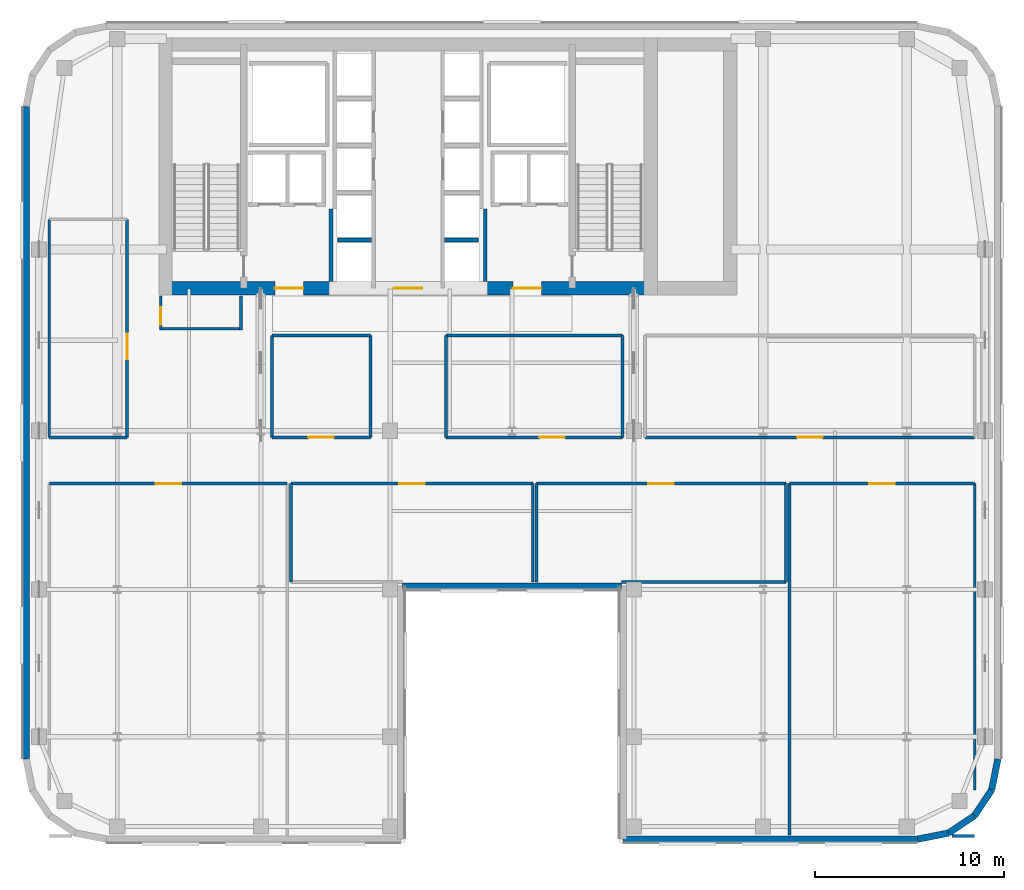
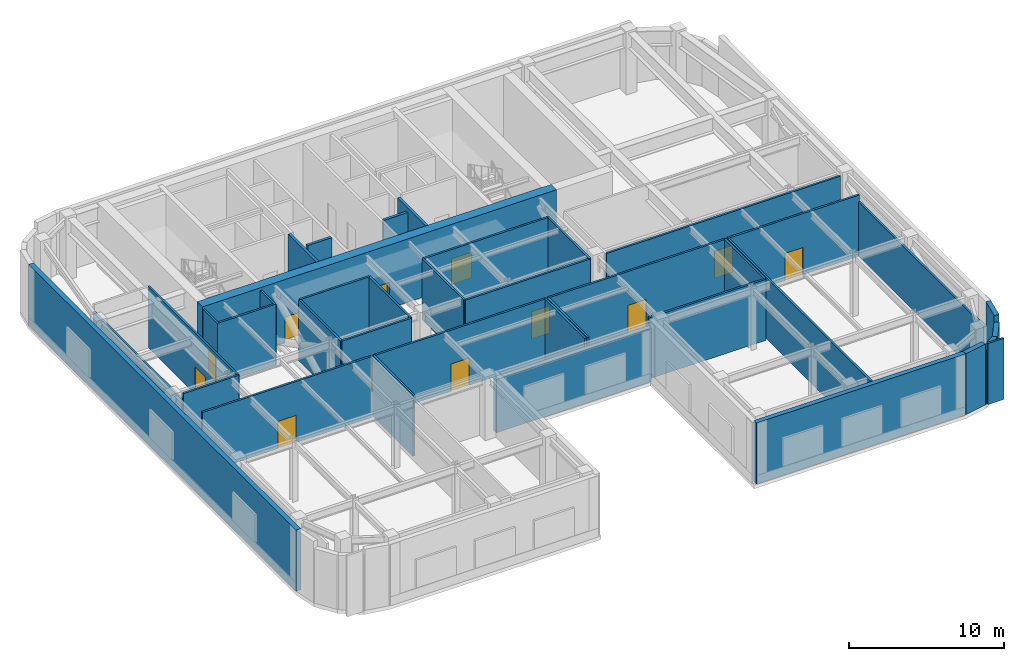
# One storey, part 5 of 12: 39 walls, 12 doors, 12 openings.
"""IFC4 building model written with IfcOpenShell, lengths in metres."""

from ifc_helpers import new_model, si_unit, direction, frame, frame_2d, origin, place, context, subcontext, project, spatial, rectangle, extrude, source, transform, mapped, material, layer, layer_set, type_object, type_shapes, element, fill, save


model = new_model("IFC4")

# Units and contexts
model_context = context("Model", 3, precision=1e-05, world=origin(), true_north=direction((0.0, 1.0)))
body_context = subcontext(model_context, "Body", "Model", "MODEL_VIEW")
ifc_project = project(units=[si_unit("LENGTHUNIT", "METRE"), si_unit("AREAUNIT", "SQUARE_METRE"), si_unit("VOLUMEUNIT", "CUBIC_METRE"), si_unit("PLANEANGLEUNIT", "RADIAN"), si_unit("MASSUNIT", "GRAM", prefix="KILO")], contexts=[model_context])

# Site, building, storey
site_placement = place(None, origin())
site = spatial("IfcSite", under=ifc_project, at=site_placement, CompositionType="ELEMENT")
building_placement = place(site_placement, origin())
building = spatial("IfcBuilding", under=site, at=building_placement, Name="Tolvann Quenvar Hotel", CompositionType="ELEMENT")
storey_placement = place(building_placement, frame((0.0, 0.0, 182.550048828125)))
storey = spatial("IfcBuildingStorey", under=building, at=storey_placement, Name="L48", CompositionType="ELEMENT", Elevation=182.550048828125)

# Wall, openings, doors
ifc_material_1 = material(Name="Concrete S65 (65 MPa)", Category="concrete")
ifc_layer_1 = layer(ifc_material_1, 0.699951171875)
ifc_layer_set_1 = layer_set([ifc_layer_1], Name="Concrete S65 (65 MPa)")
wall_type_1 = type_object("IfcWallType", Name="WALL_CORE_700", PredefinedType="SHEAR", material=ifc_layer_set_1)
wall_1_placement = place(storey_placement, frame((9.800048828125, 31.949951171875, 0.0), z_axis=(0.0, 0.0, 1.0), x_axis=(1.0, 0.0, 0.0)))
wall_1 = element("IfcWall", 1, at=wall_1_placement, inside=storey, type_object=wall_type_1, Name="Rear Core S Shear Wall (L48)", PredefinedType="SHEAR", context=body_context, shape_type="SweptSolid", body=[
    extrude(rectangle(XDim=26.39990234375, YDim=0.699951171875, at=frame_2d((13.199951171875, 0.0))), origin(), (0.0, 0.0, 1.0), 5.0),
])
opening_1_placement = place(wall_1_placement, frame((7.64990234375, 0.0, 0.0), z_axis=(0.0, 0.0, 1.0), x_axis=(-1.0, 0.0, 0.0)))
opening_1 = element("IfcOpeningElement", 2, at=opening_1_placement, cuts=wall_1, Name="Opening FD-60D", PredefinedType="OPENING", context=body_context, shape_type="SweptSolid", body=[
    extrude(rectangle(XDim=1.5, YDim=2.0400390625, at=frame_2d((0.75, 1.02001953125))), frame((0.0, 0.35986328125, 0.0), z_axis=(0.0, -1.0, 0.0), x_axis=(1.0, 0.0, 0.0)), (0.0, 0.0, 1.0), 0.719970703125),
])
opening_2_placement = place(wall_1_placement, frame((13.949951171875, 0.0, 0.0), z_axis=(0.0, 0.0, 1.0), x_axis=(-1.0, 0.0, 0.0)))
opening_2 = element("IfcOpeningElement", 3, at=opening_2_placement, cuts=wall_1, Name="Opening FD-60D", PredefinedType="OPENING", context=body_context, shape_type="SweptSolid", body=[
    extrude(rectangle(XDim=1.5, YDim=2.0400390625, at=frame_2d((0.75, 1.02001953125))), frame((0.0, 0.35986328125, 0.0), z_axis=(0.0, -1.0, 0.0), x_axis=(1.0, 0.0, 0.0)), (0.0, 0.0, 1.0), 0.719970703125),
])
opening_3_placement = place(wall_1_placement, frame((20.25, 0.0, 0.0), z_axis=(0.0, 0.0, 1.0), x_axis=(-1.0, 0.0, 0.0)))
opening_3 = element("IfcOpeningElement", 4, at=opening_3_placement, cuts=wall_1, Name="Opening FD-60D", PredefinedType="OPENING", context=body_context, shape_type="SweptSolid", body=[
    extrude(rectangle(XDim=1.5, YDim=2.0400390625, at=frame_2d((0.75, 1.02001953125))), frame((0.0, 0.35986328125, 0.0), z_axis=(0.0, -1.0, 0.0), x_axis=(1.0, 0.0, 0.0)), (0.0, 0.0, 1.0), 0.719970703125),
])
ifc_material_2 = material(Name="Solid-core American oak acoustic fire door leaf in steel frame", Category="steel")
door_type_1 = type_object("IfcDoorType", Name="DOOR_FIRE_LOBBY_1500", OperationType="NOTDEFINED", PredefinedType="DOOR", material=ifc_material_2)
shared_shape_1 = source(origin(), body_context, "Body", "SweptSolid", [
    extrude(rectangle(XDim=1.5, YDim=2.0400390625, at=frame_2d((0.75, 1.02001953125))), frame((0.0, 0.02490234375, 0.0), z_axis=(0.0, -1.0, 0.0), x_axis=(1.0, 0.0, 0.0)), (0.0, 0.0, 1.0), 0.050048828125),
])
type_shapes(door_type_1, [shared_shape_1])
door_1_placement = place(opening_1_placement, origin())
door_1 = element("IfcDoor", 5, at=door_1_placement, inside=storey, type_object=door_type_1, Name="Core Lobby Fire Door FFW (L48)", OperationType="DOUBLE_DOOR_SINGLE_SWING", OverallHeight=2.0400390625, OverallWidth=1.5, PredefinedType="DOOR", context=body_context, shape_type="MappedRepresentation", body=[
    mapped(shared_shape_1, transform((0.0, 0.0, 0.0), x_axis=(1.0, 0.0, 0.0), y_axis=(0.0, 1.0, 0.0), z_axis=(0.0, 0.0, 1.0), scale=1.0)),
])
fill(opening_1, door_1)
door_2_placement = place(opening_2_placement, origin())
door_2 = element("IfcDoor", 6, at=door_2_placement, inside=storey, type_object=door_type_1, Name="Core Lobby Fire Door CLOB (L48)", OperationType="DOUBLE_DOOR_SINGLE_SWING", OverallHeight=2.0400390625, OverallWidth=1.5, PredefinedType="DOOR", context=body_context, shape_type="MappedRepresentation", body=[
    mapped(shared_shape_1, transform((0.0, 0.0, 0.0), x_axis=(1.0, 0.0, 0.0), y_axis=(0.0, 1.0, 0.0), z_axis=(0.0, 0.0, 1.0), scale=1.0)),
])
fill(opening_2, door_2)
door_3_placement = place(opening_3_placement, origin())
door_3 = element("IfcDoor", 7, at=door_3_placement, inside=storey, type_object=door_type_1, Name="Core Lobby Fire Door FFE (L48)", OperationType="DOUBLE_DOOR_SINGLE_SWING", OverallHeight=2.0400390625, OverallWidth=1.5, PredefinedType="DOOR", context=body_context, shape_type="MappedRepresentation", body=[
    mapped(shared_shape_1, transform((0.0, 0.0, 0.0), x_axis=(1.0, 0.0, 0.0), y_axis=(0.0, 1.0, 0.0), z_axis=(0.0, 0.0, 1.0), scale=1.0)),
])
fill(opening_3, door_3)

# Walls
ifc_material_3 = material(Name="Kiln-fired red and buff architectural clay brickwork and terracotta masonry", Category="masonry")
ifc_layer_2 = layer(ifc_material_3, 0.35009765625)
ifc_layer_set_2 = layer_set([ifc_layer_2], Name="Kiln-fired red and buff architectural clay brickwork and terracotta masonry")
wall_type_2 = type_object("IfcWallType", Name="WALL_EXT_BRICK_350", PredefinedType="SOLIDWALL", material=ifc_layer_set_2)
wall_2_placement = place(storey_placement, frame((22.7099609375, 16.175048828125, 0.0), z_axis=(0.0, 0.0, 1.0), x_axis=(1.0, 0.0, 0.0)))
element("IfcWall", 8, at=wall_2_placement, inside=storey, type_object=wall_type_2, Name="Exterior Chicago Brick Wall L48-E06", PredefinedType="SOLIDWALL", context=body_context, shape_type="SweptSolid", body=[
    extrude(rectangle(XDim=11.580078125, YDim=0.35009765625, at=frame_2d((5.7900390625, 0.0))), origin(), (0.0, 0.0, 1.0), 4.2080078125),
])
wall_3_placement = place(storey_placement, frame((34.375, 2.77490234375, 0.0), z_axis=(0.0, 0.0, 1.0), x_axis=(1.0, 0.0, 0.0)))
element("IfcWall", 9, at=wall_3_placement, inside=storey, type_object=wall_type_2, Name="Exterior Chicago Brick Wall L48-E08", PredefinedType="SOLIDWALL", context=body_context, shape_type="SweptSolid", body=[
    extrude(rectangle(XDim=15.60791015625, YDim=0.35009765625, at=frame_2d((7.803955078125, 0.0))), origin(), (0.0, 0.0, 1.0), 4.820068359375),
])
wall_4_placement = place(storey_placement, frame((49.98291015625, 2.77490234375, 0.0), z_axis=(0.0, 0.0, 1.0), x_axis=(0.980788844421, 0.195072403631, 0.0)))
element("IfcWall", 10, at=wall_4_placement, inside=storey, type_object=wall_type_2, Name="Exterior Chicago Brick Wall L48-E09", PredefinedType="SOLIDWALL", context=body_context, shape_type="SweptSolid", body=[
    extrude(rectangle(XDim=1.66455078125, YDim=0.35009765625, at=frame_2d((0.832275390625, 0.0))), origin(), (0.0, 0.0, 1.0), 4.820068359375),
])
for number, where, z_axis, x_axis, name in (
    (11, (51.615478515625, 3.099609375, 0.0), (0.0, 0.0, 1.0), (0.831434158098, 0.555623290322, 0.0), "Exterior Chicago Brick Wall L48-E10"),
    (12, (52.985107421875, 4.014892578125, 0.0), (0.0, 0.0, 1.0), (0.555623290322, 0.831434158098, 0.0), "Exterior Chicago Brick Wall L48-E11"),
):
    element("IfcWall", number, at=place(storey_placement, frame(where, z_axis=z_axis, x_axis=x_axis)), inside=storey, type_object=wall_type_2, Name=name, PredefinedType="SOLIDWALL", context=body_context, shape_type="SweptSolid", body=[
        extrude(rectangle(XDim=1.647216796875, YDim=0.35009765625, at=frame_2d((0.82373046875, 0.0))), origin(), (0.0, 0.0, 1.0), 4.281982421875),
    ])
wall_5_placement = place(storey_placement, frame((53.900390625, 5.384521484375, 0.0), z_axis=(0.0, 0.0, 1.0), x_axis=(0.195072403631, 0.980788844421, 0.0)))
element("IfcWall", 13, at=wall_5_placement, inside=storey, type_object=wall_type_2, Name="Exterior Chicago Brick Wall L48-E12", PredefinedType="SOLIDWALL", context=body_context, shape_type="SweptSolid", body=[
    extrude(rectangle(XDim=1.66455078125, YDim=0.35009765625, at=frame_2d((0.832275390625, 0.0))), origin(), (0.0, 0.0, 1.0), 4.820068359375),
])
wall_6_placement = place(storey_placement, frame((2.77490234375, 41.582763671875, 0.0), z_axis=(0.0, 0.0, 1.0), x_axis=(0.0, -1.0, 0.0)))
element("IfcWall", 14, at=wall_6_placement, inside=storey, type_object=wall_type_2, Name="Exterior Chicago Brick Wall L48-E23", PredefinedType="SOLIDWALL", context=body_context, shape_type="SweptSolid", body=[
    extrude(rectangle(XDim=34.565673828125, YDim=0.35009765625, at=frame_2d((17.28271484375, 0.0))), origin(), (0.0, 0.0, 1.0), 4.820068359375),
])

# Wall, opening, door
ifc_material_4 = material(Name="Acoustic twin-stud fire-rated gypsum plasterboard partition")
ifc_layer_3 = layer(ifc_material_4, 0.14990234375)
ifc_layer_set_3 = layer_set([ifc_layer_3], Name="Acoustic twin-stud fire-rated gypsum plasterboard partition")
wall_type_3 = type_object("IfcWallType", Name="WALL_PART_SUITE_150", PredefinedType="PARTITIONING", material=ifc_layer_set_3)
wall_7_placement = place(storey_placement, frame((8.1201171875, 24.050048828125, 0.0), z_axis=(0.0, 0.0, 1.0), x_axis=(0.0, 1.0, 0.0)))
wall_7 = element("IfcWall", 15, at=wall_7_placement, inside=storey, type_object=wall_type_3, Name="Interior Partition PT-SPC-L48-REF-W-ENT", PredefinedType="PARTITIONING", context=body_context, shape_type="SweptSolid", body=[
    extrude(rectangle(XDim=11.550048828125, YDim=0.14990234375, at=frame_2d((5.77490234375, 0.0))), origin(), (0.0, 0.0, 1.0), 4.820068359375),
])
opening_4_placement = place(wall_7_placement, frame((4.125, 0.0, 0.0)))
opening_4 = element("IfcOpeningElement", 16, at=opening_4_placement, cuts=wall_7, Name="Opening PD-01", PredefinedType="OPENING", context=body_context, shape_type="SweptSolid", body=[
    extrude(rectangle(XDim=1.35009765625, YDim=2.14990234375, at=frame_2d((0.675048828125, 1.074951171875))), frame((0.0, 0.0849609375, 0.0), z_axis=(0.0, -1.0, 0.0), x_axis=(1.0, 0.0, 0.0)), (0.0, 0.0, 1.0), 0.169921875),
])
ifc_material_5 = material(Name="Pressed galvanised steel fire-rated door set", Category="steel")
door_type_2 = type_object("IfcDoorType", Name="DOOR_PLANT_1350", OperationType="NOTDEFINED", PredefinedType="DOOR", material=ifc_material_5)
shared_shape_2 = source(origin(), body_context, "Body", "SweptSolid", [
    extrude(rectangle(XDim=1.35009765625, YDim=2.14990234375, at=frame_2d((0.675048828125, 1.074951171875))), frame((0.0, 0.02490234375, 0.0), z_axis=(0.0, -1.0, 0.0), x_axis=(1.0, 0.0, 0.0)), (0.0, 0.0, 1.0), 0.050048828125),
])
type_shapes(door_type_2, [shared_shape_2])
door_4_placement = place(opening_4_placement, origin())
door_4 = element("IfcDoor", 17, at=door_4_placement, inside=storey, type_object=door_type_2, Name="Interior Door DOOR-SPC-L48-REF-W", OperationType="DOUBLE_DOOR_SINGLE_SWING", OverallHeight=2.14990234375, OverallWidth=1.35009765625, PredefinedType="DOOR", context=body_context, shape_type="MappedRepresentation", body=[
    mapped(shared_shape_2, transform((0.0, 0.0, 0.0), x_axis=(1.0, 0.0, 0.0), y_axis=(0.0, 1.0, 0.0), z_axis=(0.0, 0.0, 1.0), scale=1.0)),
])
fill(opening_4, door_4)

# Walls
wall_8_placement = place(storey_placement, frame((4.0, 24.050048828125, 0.0), z_axis=(0.0, 0.0, 1.0), x_axis=(1.0, 0.0, 0.0)))
element("IfcWall", 18, at=wall_8_placement, inside=storey, type_object=wall_type_3, Name="Interior Partition PT-SPC-L48-REF-W-S", PredefinedType="PARTITIONING", context=body_context, shape_type="SweptSolid", body=[
    extrude(rectangle(XDim=4.1201171875, YDim=0.14990234375, at=frame_2d((2.06005859375, 0.0))), origin(), (0.0, 0.0, 1.0), 4.820068359375),
])
wall_9_placement = place(storey_placement, frame((4.0, 24.050048828125, 0.0), z_axis=(0.0, 0.0, 1.0), x_axis=(0.0, 1.0, 0.0)))
element("IfcWall", 19, at=wall_9_placement, inside=storey, type_object=wall_type_3, Name="Interior Partition PT-SPC-L48-REF-W-W", PredefinedType="PARTITIONING", context=body_context, shape_type="SweptSolid", body=[
    extrude(rectangle(XDim=11.550048828125, YDim=0.14990234375, at=frame_2d((5.77490234375, 0.0))), origin(), (0.0, 0.0, 1.0), 4.281982421875),
])

# Wall, opening, door
wall_10_placement = place(storey_placement, frame((15.800048828125, 24.050048828125, 0.0), z_axis=(0.0, 0.0, 1.0), x_axis=(1.0, 0.0, 0.0)))
wall_10 = element("IfcWall", 20, at=wall_10_placement, inside=storey, type_object=wall_type_3, Name="Interior Partition PT-SPC-L48-REF-C-ENT", PredefinedType="PARTITIONING", context=body_context, shape_type="SweptSolid", body=[
    extrude(rectangle(XDim=5.199951171875, YDim=0.14990234375, at=frame_2d((2.60009765625, 0.0))), origin(), (0.0, 0.0, 1.0), 4.820068359375),
])
opening_5_placement = place(wall_10_placement, frame((1.925048828125, 0.0, 0.0)))
opening_5 = element("IfcOpeningElement", 21, at=opening_5_placement, cuts=wall_10, Name="Opening PD-01", PredefinedType="OPENING", context=body_context, shape_type="SweptSolid", body=[
    extrude(rectangle(XDim=1.35009765625, YDim=2.14990234375, at=frame_2d((0.675048828125, 1.074951171875))), frame((0.0, 0.0849609375, 0.0), z_axis=(0.0, -1.0, 0.0), x_axis=(1.0, 0.0, 0.0)), (0.0, 0.0, 1.0), 0.169921875),
])
door_5_placement = place(opening_5_placement, origin())
door_5 = element("IfcDoor", 22, at=door_5_placement, inside=storey, type_object=door_type_2, Name="Interior Door DOOR-SPC-L48-REF-C", OperationType="DOUBLE_DOOR_SINGLE_SWING", OverallHeight=2.14990234375, OverallWidth=1.35009765625, PredefinedType="DOOR", context=body_context, shape_type="MappedRepresentation", body=[
    mapped(shared_shape_2, transform((0.0, 0.0, 0.0), x_axis=(1.0, 0.0, 0.0), y_axis=(0.0, 1.0, 0.0), z_axis=(0.0, 0.0, 1.0), scale=1.0)),
])
fill(opening_5, door_5)

# Walls
wall_11_placement = place(storey_placement, frame((15.800048828125, 29.449951171875, 0.0), z_axis=(0.0, 0.0, 1.0), x_axis=(1.0, 0.0, 0.0)))
element("IfcWall", 23, at=wall_11_placement, inside=storey, type_object=wall_type_3, Name="Interior Partition PT-SPC-L48-REF-C-N", PredefinedType="PARTITIONING", context=body_context, shape_type="SweptSolid", body=[
    extrude(rectangle(XDim=5.199951171875, YDim=0.14990234375, at=frame_2d((2.60009765625, 0.0))), origin(), (0.0, 0.0, 1.0), 4.820068359375),
])
for number, where, z_axis, x_axis, name in (
    (24, (15.800048828125, 24.050048828125, 0.0), (0.0, 0.0, 1.0), (0.0, 1.0, 0.0), "Interior Partition PT-SPC-L48-REF-C-W"),
    (25, (21.0, 24.050048828125, 0.0), (0.0, 0.0, 1.0), (0.0, 1.0, 0.0), "Interior Partition PT-SPC-L48-REF-C-E"),
):
    element("IfcWall", number, at=place(storey_placement, frame(where, z_axis=z_axis, x_axis=x_axis)), inside=storey, type_object=wall_type_3, Name=name, PredefinedType="PARTITIONING", context=body_context, shape_type="SweptSolid", body=[
        extrude(rectangle(XDim=5.39990234375, YDim=0.14990234375, at=frame_2d((2.699951171875, 0.0))), origin(), (0.0, 0.0, 1.0), 4.820068359375),
    ])

# Wall, opening, door
wall_12_placement = place(storey_placement, frame((25.0, 24.050048828125, 0.0), z_axis=(0.0, 0.0, 1.0), x_axis=(1.0, 0.0, 0.0)))
wall_12 = element("IfcWall", 26, at=wall_12_placement, inside=storey, type_object=wall_type_3, Name="Interior Partition PT-SPC-L48-REF-E-ENT", PredefinedType="PARTITIONING", context=body_context, shape_type="SweptSolid", body=[
    extrude(rectangle(XDim=9.35009765625, YDim=0.14990234375, at=frame_2d((4.675048828125, 0.0))), origin(), (0.0, 0.0, 1.0), 4.820068359375),
])
opening_6_placement = place(wall_12_placement, frame((4.949951171875, 0.0, 0.0)))
opening_6 = element("IfcOpeningElement", 27, at=opening_6_placement, cuts=wall_12, Name="Opening PD-01", PredefinedType="OPENING", context=body_context, shape_type="SweptSolid", body=[
    extrude(rectangle(XDim=1.35009765625, YDim=2.14990234375, at=frame_2d((0.675048828125, 1.074951171875))), frame((0.0, 0.0849609375, 0.0), z_axis=(0.0, -1.0, 0.0), x_axis=(1.0, 0.0, 0.0)), (0.0, 0.0, 1.0), 0.169921875),
])
door_6_placement = place(opening_6_placement, origin())
door_6 = element("IfcDoor", 28, at=door_6_placement, inside=storey, type_object=door_type_2, Name="Interior Door DOOR-SPC-L48-REF-E", OperationType="DOUBLE_DOOR_SINGLE_SWING", OverallHeight=2.14990234375, OverallWidth=1.35009765625, PredefinedType="DOOR", context=body_context, shape_type="MappedRepresentation", body=[
    mapped(shared_shape_2, transform((0.0, 0.0, 0.0), x_axis=(1.0, 0.0, 0.0), y_axis=(0.0, 1.0, 0.0), z_axis=(0.0, 0.0, 1.0), scale=1.0)),
])
fill(opening_6, door_6)

# Walls
wall_13_placement = place(storey_placement, frame((25.0, 29.449951171875, 0.0), z_axis=(0.0, 0.0, 1.0), x_axis=(1.0, 0.0, 0.0)))
element("IfcWall", 29, at=wall_13_placement, inside=storey, type_object=wall_type_3, Name="Interior Partition PT-SPC-L48-REF-E-N", PredefinedType="PARTITIONING", context=body_context, shape_type="SweptSolid", body=[
    extrude(rectangle(XDim=9.35009765625, YDim=0.14990234375, at=frame_2d((4.675048828125, 0.0))), origin(), (0.0, 0.0, 1.0), 4.820068359375),
])
for number, where, z_axis, x_axis, name in (
    (30, (25.0, 24.050048828125, 0.0), (0.0, 0.0, 1.0), (0.0, 1.0, 0.0), "Interior Partition PT-SPC-L48-REF-E-W"),
    (31, (34.35009765625, 24.050048828125, 0.0), (0.0, 0.0, 1.0), (0.0, 1.0, 0.0), "Interior Partition PT-SPC-L48-REF-E-E"),
):
    element("IfcWall", number, at=place(storey_placement, frame(where, z_axis=z_axis, x_axis=x_axis)), inside=storey, type_object=wall_type_3, Name=name, PredefinedType="PARTITIONING", context=body_context, shape_type="SweptSolid", body=[
        extrude(rectangle(XDim=5.39990234375, YDim=0.14990234375, at=frame_2d((2.699951171875, 0.0))), origin(), (0.0, 0.0, 1.0), 4.820068359375),
    ])

# Wall, opening, door
wall_14_placement = place(storey_placement, frame((35.550048828125, 24.050048828125, 0.0), z_axis=(0.0, 0.0, 1.0), x_axis=(1.0, 0.0, 0.0)))
wall_14 = element("IfcWall", 32, at=wall_14_placement, inside=storey, type_object=wall_type_3, Name="Interior Partition PT-SPC-L48-REF-FE-ENT", PredefinedType="PARTITIONING", context=body_context, shape_type="SweptSolid", body=[
    extrude(rectangle(XDim=17.449951171875, YDim=0.14990234375, at=frame_2d((8.72509765625, 0.0))), origin(), (0.0, 0.0, 1.0), 4.820068359375),
])
opening_7_placement = place(wall_14_placement, frame((8.050048828125, 0.0, 0.0)))
opening_7 = element("IfcOpeningElement", 33, at=opening_7_placement, cuts=wall_14, Name="Opening PD-01", PredefinedType="OPENING", context=body_context, shape_type="SweptSolid", body=[
    extrude(rectangle(XDim=1.35009765625, YDim=2.14990234375, at=frame_2d((0.675048828125, 1.074951171875))), frame((0.0, 0.0849609375, 0.0), z_axis=(0.0, -1.0, 0.0), x_axis=(1.0, 0.0, 0.0)), (0.0, 0.0, 1.0), 0.169921875),
])
door_7_placement = place(opening_7_placement, origin())
door_7 = element("IfcDoor", 34, at=door_7_placement, inside=storey, type_object=door_type_2, Name="Interior Door DOOR-SPC-L48-REF-FE", OperationType="DOUBLE_DOOR_SINGLE_SWING", OverallHeight=2.14990234375, OverallWidth=1.35009765625, PredefinedType="DOOR", context=body_context, shape_type="MappedRepresentation", body=[
    mapped(shared_shape_2, transform((0.0, 0.0, 0.0), x_axis=(1.0, 0.0, 0.0), y_axis=(0.0, 1.0, 0.0), z_axis=(0.0, 0.0, 1.0), scale=1.0)),
])
fill(opening_7, door_7)

wall_15_placement = place(storey_placement, frame((9.89990234375, 29.72998046875, 0.0), z_axis=(0.0, 0.0, 1.0), x_axis=(0.0, 1.0, 0.0)))
wall_15 = element("IfcWall", 35, at=wall_15_placement, inside=storey, type_object=wall_type_3, Name="Interior Partition PT-SPC-L48-PWC-ENT", PredefinedType="PARTITIONING", context=body_context, shape_type="SweptSolid", body=[
    extrude(rectangle(XDim=1.81494140625, YDim=0.14990234375, at=frame_2d((0.907470703125, 0.0))), origin(), (0.0, 0.0, 1.0), 4.820068359375),
])
opening_8_placement = place(wall_15_placement, frame((0.2900390625, 0.0, 0.0)))
opening_8 = element("IfcOpeningElement", 36, at=opening_8_placement, cuts=wall_15, Name="Opening WD-01", PredefinedType="OPENING", context=body_context, shape_type="SweptSolid", body=[
    extrude(rectangle(XDim=0.919921875, YDim=2.010009765625, at=frame_2d((0.4599609375, 1.0048828125))), frame((0.0, 0.0849609375, 0.0), z_axis=(0.0, -1.0, 0.0), x_axis=(1.0, 0.0, 0.0)), (0.0, 0.0, 1.0), 0.169921875),
])
door_type_3 = type_object("IfcDoorType", Name="DOOR_WC_920", OperationType="NOTDEFINED", PredefinedType="DOOR", material=ifc_material_2)
shared_shape_3 = source(origin(), body_context, "Body", "SweptSolid", [
    extrude(rectangle(XDim=0.919921875, YDim=2.010009765625, at=frame_2d((0.4599609375, 1.0048828125))), frame((0.0, 0.02490234375, 0.0), z_axis=(0.0, -1.0, 0.0), x_axis=(1.0, 0.0, 0.0)), (0.0, 0.0, 1.0), 0.050048828125),
])
type_shapes(door_type_3, [shared_shape_3])
door_8_placement = place(opening_8_placement, origin())
door_8 = element("IfcDoor", 37, at=door_8_placement, inside=storey, type_object=door_type_3, Name="Interior Door DOOR-SPC-L48-PWC", OperationType="SINGLE_SWING_RIGHT", OverallHeight=2.010009765625, OverallWidth=0.919921875, PredefinedType="DOOR", context=body_context, shape_type="MappedRepresentation", body=[
    mapped(shared_shape_3, transform((0.0, 0.0, 0.0), x_axis=(1.0, 0.0, 0.0), y_axis=(0.0, 1.0, 0.0), z_axis=(0.0, 0.0, 1.0), scale=1.0)),
])
fill(opening_8, door_8)

# Walls
wall_16_placement = place(storey_placement, frame((9.830078125, 29.800048828125, 0.0), z_axis=(0.0, 0.0, 1.0), x_axis=(1.0, 0.0, 0.0)))
element("IfcWall", 38, at=wall_16_placement, inside=storey, type_object=wall_type_3, Name="Interior Partition PT-SPC-L48-PWC-S", PredefinedType="PARTITIONING", context=body_context, shape_type="SweptSolid", body=[
    extrude(rectangle(XDim=4.389892578125, YDim=0.14990234375, at=frame_2d((2.19482421875, 0.0))), origin(), (0.0, 0.0, 1.0), 4.820068359375),
])
wall_17_placement = place(storey_placement, frame((14.14990234375, 29.72998046875, 0.0), z_axis=(0.0, 0.0, 1.0), x_axis=(0.0, 1.0, 0.0)))
element("IfcWall", 39, at=wall_17_placement, inside=storey, type_object=wall_type_3, Name="Interior Partition PT-SPC-L48-PWC-E", PredefinedType="PARTITIONING", context=body_context, shape_type="SweptSolid", body=[
    extrude(rectangle(XDim=1.81494140625, YDim=0.14990234375, at=frame_2d((0.907470703125, 0.0))), origin(), (0.0, 0.0, 1.0), 4.820068359375),
])

# Wall, opening, door
wall_18_placement = place(storey_placement, frame((4.0, 21.60009765625, 0.0), z_axis=(0.0, 0.0, 1.0), x_axis=(1.0, 0.0, 0.0)))
wall_18 = element("IfcWall", 40, at=wall_18_placement, inside=storey, type_object=wall_type_3, Name="Interior Partition PT-SPC-L48-CHIL-N", PredefinedType="PARTITIONING", context=body_context, shape_type="SweptSolid", body=[
    extrude(rectangle(XDim=12.60009765625, YDim=0.14990234375, at=frame_2d((6.300048828125, 0.0))), origin(), (0.0, 0.0, 1.0), 4.820068359375),
])
opening_9_placement = place(wall_18_placement, frame((5.625, 0.0, 0.0)))
opening_9 = element("IfcOpeningElement", 41, at=opening_9_placement, cuts=wall_18, Name="Opening PD-01", PredefinedType="OPENING", context=body_context, shape_type="SweptSolid", body=[
    extrude(rectangle(XDim=1.35009765625, YDim=2.14990234375, at=frame_2d((0.675048828125, 1.074951171875))), frame((0.0, 0.0849609375, 0.0), z_axis=(0.0, -1.0, 0.0), x_axis=(1.0, 0.0, 0.0)), (0.0, 0.0, 1.0), 0.169921875),
])
door_9_placement = place(opening_9_placement, origin())
door_9 = element("IfcDoor", 42, at=door_9_placement, inside=storey, type_object=door_type_2, Name="Interior Door DOOR-SPC-L48-CHIL", OperationType="DOUBLE_DOOR_SINGLE_SWING", OverallHeight=2.14990234375, OverallWidth=1.35009765625, PredefinedType="DOOR", context=body_context, shape_type="MappedRepresentation", body=[
    mapped(shared_shape_2, transform((0.0, 0.0, 0.0), x_axis=(1.0, 0.0, 0.0), y_axis=(0.0, 1.0, 0.0), z_axis=(0.0, 0.0, 1.0), scale=1.0)),
])
fill(opening_9, door_9)

wall_19_placement = place(storey_placement, frame((16.800048828125, 21.60009765625, 0.0), z_axis=(0.0, 0.0, 1.0), x_axis=(1.0, 0.0, 0.0)))
wall_19 = element("IfcWall", 43, at=wall_19_placement, inside=storey, type_object=wall_type_3, Name="Interior Partition PT-SPC-L48-AHU-N", PredefinedType="PARTITIONING", context=body_context, shape_type="SweptSolid", body=[
    extrude(rectangle(XDim=12.800048828125, YDim=0.14990234375, at=frame_2d((6.39990234375, 0.0))), origin(), (0.0, 0.0, 1.0), 4.820068359375),
])
opening_10_placement = place(wall_19_placement, frame((5.72509765625, 0.0, 0.0)))
opening_10 = element("IfcOpeningElement", 44, at=opening_10_placement, cuts=wall_19, Name="Opening PD-01", PredefinedType="OPENING", context=body_context, shape_type="SweptSolid", body=[
    extrude(rectangle(XDim=1.35009765625, YDim=2.14990234375, at=frame_2d((0.675048828125, 1.074951171875))), frame((0.0, 0.0849609375, 0.0), z_axis=(0.0, -1.0, 0.0), x_axis=(1.0, 0.0, 0.0)), (0.0, 0.0, 1.0), 0.169921875),
])
door_10_placement = place(opening_10_placement, origin())
door_10 = element("IfcDoor", 45, at=door_10_placement, inside=storey, type_object=door_type_2, Name="Interior Door DOOR-SPC-L48-AHU", OperationType="DOUBLE_DOOR_SINGLE_SWING", OverallHeight=2.14990234375, OverallWidth=1.35009765625, PredefinedType="DOOR", context=body_context, shape_type="MappedRepresentation", body=[
    mapped(shared_shape_2, transform((0.0, 0.0, 0.0), x_axis=(1.0, 0.0, 0.0), y_axis=(0.0, 1.0, 0.0), z_axis=(0.0, 0.0, 1.0), scale=1.0)),
])
fill(opening_10, door_10)

# Walls
wall_20_placement = place(storey_placement, frame((16.800048828125, 16.39990234375, 0.0), z_axis=(0.0, 0.0, 1.0), x_axis=(0.0, 1.0, 0.0)))
element("IfcWall", 46, at=wall_20_placement, inside=storey, type_object=wall_type_3, Name="Interior Partition PT-SPC-L48-AHU-W", PredefinedType="PARTITIONING", context=body_context, shape_type="SweptSolid", body=[
    extrude(rectangle(XDim=5.2001953125, YDim=0.14990234375, at=frame_2d((2.60009765625, 0.0))), origin(), (0.0, 0.0, 1.0), 4.820068359375),
])
wall_21_placement = place(storey_placement, frame((29.60009765625, 16.405029296875, 0.0), z_axis=(0.0, 0.0, 1.0), x_axis=(0.0, 1.0, 0.0)))
element("IfcWall", 47, at=wall_21_placement, inside=storey, type_object=wall_type_3, Name="Interior Partition PT-SPC-L48-AHU-E", PredefinedType="PARTITIONING", context=body_context, shape_type="SweptSolid", body=[
    extrude(rectangle(XDim=5.195068359375, YDim=0.14990234375, at=frame_2d((2.59765625, 0.0))), origin(), (0.0, 0.0, 1.0), 4.820068359375),
])
wall_22_placement = place(storey_placement, frame((34.2900390625, 16.39990234375, 0.0), z_axis=(0.0, 0.0, 1.0), x_axis=(1.0, 0.0, 0.0)))
element("IfcWall", 48, at=wall_22_placement, inside=storey, type_object=wall_type_3, Name="Interior Partition PT-SPC-L48-PUMP-S", PredefinedType="PARTITIONING", context=body_context, shape_type="SweptSolid", body=[
    extrude(rectangle(XDim=8.7099609375, YDim=0.14990234375, at=frame_2d((4.35498046875, 0.0))), origin(), (0.0, 0.0, 1.0), 4.820068359375),
])

# Wall, opening, door
wall_23_placement = place(storey_placement, frame((29.800048828125, 21.60009765625, 0.0), z_axis=(0.0, 0.0, 1.0), x_axis=(1.0, 0.0, 0.0)))
wall_23 = element("IfcWall", 49, at=wall_23_placement, inside=storey, type_object=wall_type_3, Name="Interior Partition PT-SPC-L48-PUMP-N", PredefinedType="PARTITIONING", context=body_context, shape_type="SweptSolid", body=[
    extrude(rectangle(XDim=13.199951171875, YDim=0.14990234375, at=frame_2d((6.60009765625, 0.0))), origin(), (0.0, 0.0, 1.0), 4.820068359375),
])
opening_11_placement = place(wall_23_placement, frame((5.925048828125, 0.0, 0.0)))
opening_11 = element("IfcOpeningElement", 50, at=opening_11_placement, cuts=wall_23, Name="Opening PD-01", PredefinedType="OPENING", context=body_context, shape_type="SweptSolid", body=[
    extrude(rectangle(XDim=1.35009765625, YDim=2.14990234375, at=frame_2d((0.675048828125, 1.074951171875))), frame((0.0, 0.0849609375, 0.0), z_axis=(0.0, -1.0, 0.0), x_axis=(1.0, 0.0, 0.0)), (0.0, 0.0, 1.0), 0.169921875),
])
door_11_placement = place(opening_11_placement, origin())
door_11 = element("IfcDoor", 51, at=door_11_placement, inside=storey, type_object=door_type_2, Name="Interior Door DOOR-SPC-L48-PUMP", OperationType="DOUBLE_DOOR_SINGLE_SWING", OverallHeight=2.14990234375, OverallWidth=1.35009765625, PredefinedType="DOOR", context=body_context, shape_type="MappedRepresentation", body=[
    mapped(shared_shape_2, transform((0.0, 0.0, 0.0), x_axis=(1.0, 0.0, 0.0), y_axis=(0.0, 1.0, 0.0), z_axis=(0.0, 0.0, 1.0), scale=1.0)),
])
fill(opening_11, door_11)

# Walls
wall_24_placement = place(storey_placement, frame((29.800048828125, 16.405029296875, 0.0), z_axis=(0.0, 0.0, 1.0), x_axis=(0.0, 1.0, 0.0)))
element("IfcWall", 52, at=wall_24_placement, inside=storey, type_object=wall_type_3, Name="Interior Partition PT-SPC-L48-PUMP-W", PredefinedType="PARTITIONING", context=body_context, shape_type="SweptSolid", body=[
    extrude(rectangle(XDim=5.195068359375, YDim=0.14990234375, at=frame_2d((2.59765625, 0.0))), origin(), (0.0, 0.0, 1.0), 4.820068359375),
])
wall_25_placement = place(storey_placement, frame((43.0, 16.39990234375, 0.0), z_axis=(0.0, 0.0, 1.0), x_axis=(0.0, 1.0, 0.0)))
element("IfcWall", 53, at=wall_25_placement, inside=storey, type_object=wall_type_3, Name="Interior Partition PT-SPC-L48-PUMP-E", PredefinedType="PARTITIONING", context=body_context, shape_type="SweptSolid", body=[
    extrude(rectangle(XDim=5.2001953125, YDim=0.14990234375, at=frame_2d((2.60009765625, 0.0))), origin(), (0.0, 0.0, 1.0), 4.820068359375),
])
wall_26_placement = place(storey_placement, frame((51.804931640625, 2.949951171875, 0.0), z_axis=(0.0, 0.0, 1.0), x_axis=(1.0, 0.0, 0.0)))
element("IfcWall", 54, at=wall_26_placement, inside=storey, type_object=wall_type_3, Name="Interior Partition PT-SPC-L48-ELEC-S", PredefinedType="PARTITIONING", context=body_context, shape_type="SweptSolid", body=[
    extrude(rectangle(XDim=1.195068359375, YDim=0.14990234375, at=frame_2d((0.59765625, 0.0))), origin(), (0.0, 0.0, 1.0), 4.820068359375),
])

# Wall, opening, door
wall_27_placement = place(storey_placement, frame((43.199951171875, 21.60009765625, 0.0), z_axis=(0.0, 0.0, 1.0), x_axis=(1.0, 0.0, 0.0)))
wall_27 = element("IfcWall", 55, at=wall_27_placement, inside=storey, type_object=wall_type_3, Name="Interior Partition PT-SPC-L48-ELEC-N", PredefinedType="PARTITIONING", context=body_context, shape_type="SweptSolid", body=[
    extrude(rectangle(XDim=9.800048828125, YDim=0.14990234375, at=frame_2d((4.89990234375, 0.0))), origin(), (0.0, 0.0, 1.0), 4.820068359375),
])
opening_12_placement = place(wall_27_placement, frame((4.22509765625, 0.0, 0.0)))
opening_12 = element("IfcOpeningElement", 56, at=opening_12_placement, cuts=wall_27, Name="Opening PD-01", PredefinedType="OPENING", context=body_context, shape_type="SweptSolid", body=[
    extrude(rectangle(XDim=1.35009765625, YDim=2.14990234375, at=frame_2d((0.675048828125, 1.074951171875))), frame((0.0, 0.0849609375, 0.0), z_axis=(0.0, -1.0, 0.0), x_axis=(1.0, 0.0, 0.0)), (0.0, 0.0, 1.0), 0.169921875),
])
door_12_placement = place(opening_12_placement, origin())
door_12 = element("IfcDoor", 57, at=door_12_placement, inside=storey, type_object=door_type_2, Name="Interior Door DOOR-SPC-L48-ELEC", OperationType="DOUBLE_DOOR_SINGLE_SWING", OverallHeight=2.14990234375, OverallWidth=1.35009765625, PredefinedType="DOOR", context=body_context, shape_type="MappedRepresentation", body=[
    mapped(shared_shape_2, transform((0.0, 0.0, 0.0), x_axis=(1.0, 0.0, 0.0), y_axis=(0.0, 1.0, 0.0), z_axis=(0.0, 0.0, 1.0), scale=1.0)),
])
fill(opening_12, door_12)

# Walls
wall_28_placement = place(storey_placement, frame((43.199951171875, 3.0048828125, 0.0), z_axis=(0.0, 0.0, 1.0), x_axis=(0.0, 1.0, 0.0)))
element("IfcWall", 58, at=wall_28_placement, inside=storey, type_object=wall_type_3, Name="Interior Partition PT-SPC-L48-ELEC-W", PredefinedType="PARTITIONING", context=body_context, shape_type="SweptSolid", body=[
    extrude(rectangle(XDim=18.59521484375, YDim=0.14990234375, at=frame_2d((9.297607421875, 0.0))), origin(), (0.0, 0.0, 1.0), 4.820068359375),
])
wall_29_placement = place(storey_placement, frame((53.0, 5.385009765625, 0.0), z_axis=(0.0, 0.0, 1.0), x_axis=(0.0, 1.0, 0.0)))
element("IfcWall", 59, at=wall_29_placement, inside=storey, type_object=wall_type_3, Name="Interior Partition PT-SPC-L48-ELEC-E", PredefinedType="PARTITIONING", context=body_context, shape_type="SweptSolid", body=[
    extrude(rectangle(XDim=16.215087890625, YDim=0.14990234375, at=frame_2d((8.107421875, 0.0))), origin(), (0.0, 0.0, 1.0), 4.281982421875),
])
ifc_material_6 = material(Name="Concrete N40 (40 MPa)", Category="concrete")
ifc_layer_4 = layer(ifc_material_6, 0.199951171875)
ifc_layer_set_4 = layer_set([ifc_layer_4], Name="Concrete N40 (40 MPa)")
wall_type_4 = type_object("IfcWallType", Name="WALL_SHAFT_200", PredefinedType="SOLIDWALL", material=ifc_layer_set_4)
for number, where, z_axis, x_axis, name in (
    (60, (18.919921875, 32.303955078125, 0.0), (0.0, 0.0, 1.0), (0.0, 1.0, 0.0), "Firefighting Lobby W Inner Fire Wall (L48)"),
    (61, (27.080078125, 32.303955078125, 0.0), (0.0, 0.0, 1.0), (0.0, 1.0, 0.0), "Firefighting Lobby E Inner Fire Wall (L48)"),
):
    element("IfcWall", number, at=place(storey_placement, frame(where, z_axis=z_axis, x_axis=x_axis)), inside=storey, type_object=wall_type_4, Name=name, PredefinedType="SOLIDWALL", context=body_context, shape_type="SweptSolid", body=[
        extrude(rectangle(XDim=3.845947265625, YDim=0.199951171875, at=frame_2d((1.9228515625, 0.0))), origin(), (0.0, 0.0, 1.0), 4.820068359375),
    ])
for number, where, z_axis, x_axis, name in (
    (62, (19.27001953125, 34.5, 0.0), (0.0, 0.0, 1.0), (1.0, 0.0, 0.0), "Lift Bank E21.1C1 Divider Wall 1 (L48)"),
    (63, (24.929931640625, 34.5, 0.0), (0.0, 0.0, 1.0), (1.0, 0.0, 0.0), "Lift Bank W24.9C1 Divider Wall 1 (L48)"),
):
    element("IfcWall", number, at=place(storey_placement, frame(where, z_axis=z_axis, x_axis=x_axis)), inside=storey, type_object=wall_type_4, Name=name, PredefinedType="SOLIDWALL", context=body_context, shape_type="SweptSolid", body=[
        extrude(rectangle(XDim=1.800048828125, YDim=0.199951171875, at=frame_2d((0.89990234375, 0.0))), origin(), (0.0, 0.0, 1.0), 4.820068359375),
    ])

save(model, "model.ifc")
